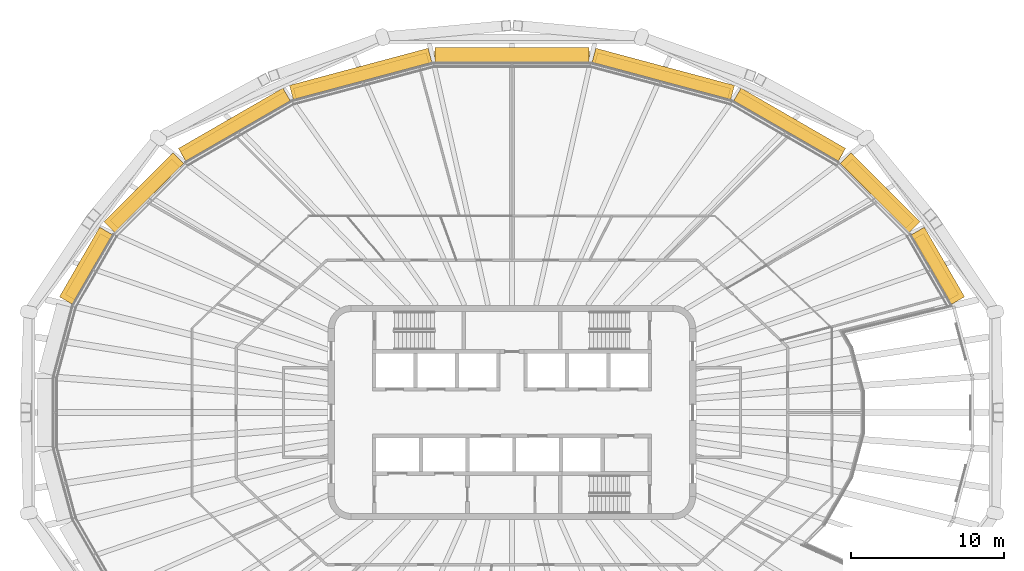
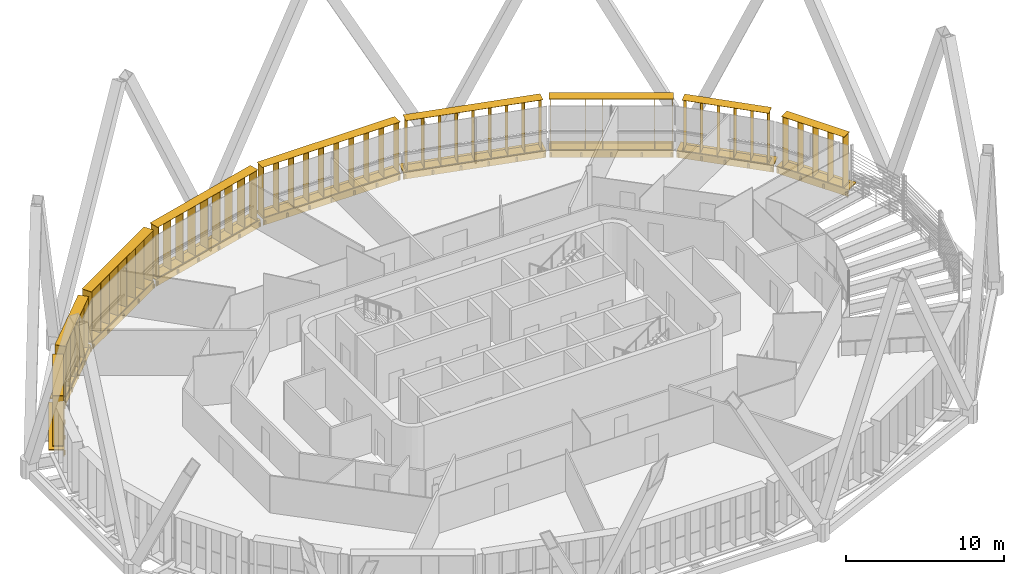
# One storey, part 20 of 20: 18 shading devices.
"""IFC4 building model written with IfcOpenShell, lengths in metres."""

from ifc_helpers import new_model, si_unit, direction, frame, origin, origin_2d, place, context, subcontext, project, spatial, rectangle, extrude, material, type_object, element, save


model = new_model("IFC4")

# Units and contexts
model_context = context("Model", 3, precision=1e-05, world=origin(), true_north=direction((0.0, 1.0)))
body_context = subcontext(model_context, "Body", "Model", "MODEL_VIEW")
ifc_project = project(units=[si_unit("LENGTHUNIT", "METRE"), si_unit("AREAUNIT", "SQUARE_METRE"), si_unit("VOLUMEUNIT", "CUBIC_METRE"), si_unit("PLANEANGLEUNIT", "RADIAN"), si_unit("MASSUNIT", "GRAM", prefix="KILO")], contexts=[model_context])

# Site, building, storey
site_placement = place(None, origin())
site = spatial("IfcSite", under=ifc_project, at=site_placement, CompositionType="ELEMENT")
building_placement = place(site_placement, origin())
building = spatial("IfcBuilding", under=site, at=building_placement, Name="Sahrelin Media Tower", CompositionType="ELEMENT")
storey_placement = place(building_placement, frame((0.0, 0.0, 267.0)))
storey = spatial("IfcBuildingStorey", under=building, at=storey_placement, Name="L58", CompositionType="ELEMENT", Elevation=267.0)

# Shading devices
ifc_material = material(Name="Champagne anodised aluminium 6063-T6", Category="aluminium")
shading_device_type_1 = type_object("IfcShadingDeviceType", Name="Fin cassette", PredefinedType="USERDEFINED", material=ifc_material)
placement_1 = place(storey_placement, frame((27.357666015625, 9.3173828125, 0.0), z_axis=(0.0, 0.0, 1.0), x_axis=(0.500011000363, -0.866019052629, 0.0)))
element("IfcShadingDevice", 1, at=placement_1, inside=storey, type_object=shading_device_type_1, Name="L58:FIN:L58-02", ObjectType="FIN", PredefinedType="USERDEFINED", context=body_context, shape_type="SweptSolid", body=[
    extrude(rectangle(XDim=4.60009765625, YDim=0.699951171875, at=origin_2d()), frame((0.0, 0.419921875, 0.0)), (0.0, 0.0, 1.0), 0.02001953125),
    extrude(rectangle(XDim=4.60009765625, YDim=0.699951171875, at=origin_2d()), frame((0.0, 0.419921875, 3.89990234375)), (0.0, 0.0, 1.0), 0.02001953125),
    extrude(rectangle(XDim=0.02001953125, YDim=0.699951171875, at=origin_2d()), frame((-2.199951171875, 0.419921875, 0.010009765625), z_axis=(0.0, 0.0, 1.0), x_axis=(1.0, 0.0, 0.0)), (0.0, 0.0, 1.0), 3.89990234375),
    extrude(rectangle(XDim=0.02001953125, YDim=0.699951171875, at=origin_2d()), frame((-1.10009765625, 0.419921875, 0.010009765625), z_axis=(0.0, 0.0, 1.0), x_axis=(1.0, 0.0, 0.0)), (0.0, 0.0, 1.0), 3.89990234375),
    extrude(rectangle(XDim=0.02001953125, YDim=0.699951171875, at=origin_2d()), frame((0.0, 0.419921875, 0.010009765625), z_axis=(0.0, 0.0, 1.0), x_axis=(1.0, 0.0, 0.0)), (0.0, 0.0, 1.0), 3.89990234375),
    extrude(rectangle(XDim=0.02001953125, YDim=0.699951171875, at=origin_2d()), frame((1.10009765625, 0.419921875, 0.010009765625), z_axis=(0.0, 0.0, 1.0), x_axis=(1.0, 0.0, 0.0)), (0.0, 0.0, 1.0), 3.89990234375),
    extrude(rectangle(XDim=0.02001953125, YDim=0.699951171875, at=origin_2d()), frame((2.199951171875, 0.419921875, 0.010009765625), z_axis=(0.0, 0.0, 1.0), x_axis=(1.0, 0.0, 0.0)), (0.0, 0.0, 1.0), 3.89990234375),
])
placement_2 = place(storey_placement, frame((23.6767578125, 13.9951171875, 0.0), z_axis=(0.0, 0.0, 1.0), x_axis=(0.707106781187, -0.707106781187, 0.0)))
element("IfcShadingDevice", 2, at=placement_2, inside=storey, type_object=shading_device_type_1, Name="L58:FIN:L58-03", ObjectType="FIN", PredefinedType="USERDEFINED", context=body_context, shape_type="SweptSolid", body=[
    extrude(rectangle(XDim=5.699951171875, YDim=0.699951171875, at=origin_2d()), frame((0.0, 0.419921875, 0.0)), (0.0, 0.0, 1.0), 0.02001953125),
    extrude(rectangle(XDim=5.699951171875, YDim=0.699951171875, at=origin_2d()), frame((0.0, 0.419921875, 3.89990234375)), (0.0, 0.0, 1.0), 0.02001953125),
    extrude(rectangle(XDim=0.02001953125, YDim=0.699951171875, at=origin_2d()), frame((-2.75, 0.419921875, 0.010009765625), z_axis=(0.0, 0.0, 1.0), x_axis=(1.0, 0.0, 0.0)), (0.0, 0.0, 1.0), 3.89990234375),
    extrude(rectangle(XDim=0.02001953125, YDim=0.699951171875, at=origin_2d()), frame((-1.64990234375, 0.419921875, 0.010009765625), z_axis=(0.0, 0.0, 1.0), x_axis=(1.0, 0.0, 0.0)), (0.0, 0.0, 1.0), 3.89990234375),
    extrude(rectangle(XDim=0.02001953125, YDim=0.699951171875, at=origin_2d()), frame((-0.550048828125, 0.419921875, 0.010009765625), z_axis=(0.0, 0.0, 1.0), x_axis=(1.0, 0.0, 0.0)), (0.0, 0.0, 1.0), 3.89990234375),
    extrude(rectangle(XDim=0.02001953125, YDim=0.699951171875, at=origin_2d()), frame((0.550048828125, 0.419921875, 0.010009765625), z_axis=(0.0, 0.0, 1.0), x_axis=(1.0, 0.0, 0.0)), (0.0, 0.0, 1.0), 3.89990234375),
    extrude(rectangle(XDim=0.02001953125, YDim=0.699951171875, at=origin_2d()), frame((1.64990234375, 0.419921875, 0.010009765625), z_axis=(0.0, 0.0, 1.0), x_axis=(1.0, 0.0, 0.0)), (0.0, 0.0, 1.0), 3.89990234375),
    extrude(rectangle(XDim=0.02001953125, YDim=0.699951171875, at=origin_2d()), frame((2.75, 0.419921875, 0.010009765625), z_axis=(0.0, 0.0, 1.0), x_axis=(1.0, 0.0, 0.0)), (0.0, 0.0, 1.0), 3.89990234375),
])
placement_3 = place(storey_placement, frame((17.86083984375, 18.3330078125, 0.0), z_axis=(0.0, 0.0, 1.0), x_axis=(0.866019052629, -0.500011000363, 0.0)))
element("IfcShadingDevice", 3, at=placement_3, inside=storey, type_object=shading_device_type_1, Name="L58:FIN:L58-04", ObjectType="FIN", PredefinedType="USERDEFINED", context=body_context, shape_type="SweptSolid", body=[
    extrude(rectangle(XDim=7.89990234375, YDim=0.699951171875, at=origin_2d()), frame((0.0, 0.419921875, 0.0)), (0.0, 0.0, 1.0), 0.02001953125),
    extrude(rectangle(XDim=7.89990234375, YDim=0.699951171875, at=origin_2d()), frame((0.0, 0.419921875, 3.89990234375)), (0.0, 0.0, 1.0), 0.02001953125),
    extrude(rectangle(XDim=0.02001953125, YDim=0.699951171875, at=origin_2d()), frame((-3.85009765625, 0.419921875, 0.010009765625), z_axis=(0.0, 0.0, 1.0), x_axis=(1.0, 0.0, 0.0)), (0.0, 0.0, 1.0), 3.89990234375),
    extrude(rectangle(XDim=0.02001953125, YDim=0.699951171875, at=origin_2d()), frame((-2.75, 0.419921875, 0.010009765625), z_axis=(0.0, 0.0, 1.0), x_axis=(1.0, 0.0, 0.0)), (0.0, 0.0, 1.0), 3.89990234375),
    extrude(rectangle(XDim=0.02001953125, YDim=0.699951171875, at=origin_2d()), frame((-1.64990234375, 0.419921875, 0.010009765625), z_axis=(0.0, 0.0, 1.0), x_axis=(1.0, 0.0, 0.0)), (0.0, 0.0, 1.0), 3.89990234375),
    extrude(rectangle(XDim=0.02001953125, YDim=0.699951171875, at=origin_2d()), frame((-0.550048828125, 0.419921875, 0.010009765625), z_axis=(0.0, 0.0, 1.0), x_axis=(1.0, 0.0, 0.0)), (0.0, 0.0, 1.0), 3.89990234375),
    extrude(rectangle(XDim=0.02001953125, YDim=0.699951171875, at=origin_2d()), frame((0.550048828125, 0.419921875, 0.010009765625), z_axis=(0.0, 0.0, 1.0), x_axis=(1.0, 0.0, 0.0)), (0.0, 0.0, 1.0), 3.89990234375),
    extrude(rectangle(XDim=0.02001953125, YDim=0.699951171875, at=origin_2d()), frame((1.64990234375, 0.419921875, 0.010009765625), z_axis=(0.0, 0.0, 1.0), x_axis=(1.0, 0.0, 0.0)), (0.0, 0.0, 1.0), 3.89990234375),
    extrude(rectangle(XDim=0.02001953125, YDim=0.699951171875, at=origin_2d()), frame((2.75, 0.419921875, 0.010009765625), z_axis=(0.0, 0.0, 1.0), x_axis=(1.0, 0.0, 0.0)), (0.0, 0.0, 1.0), 3.89990234375),
    extrude(rectangle(XDim=0.02001953125, YDim=0.699951171875, at=origin_2d()), frame((3.85009765625, 0.419921875, 0.010009765625), z_axis=(0.0, 0.0, 1.0), x_axis=(1.0, 0.0, 0.0)), (0.0, 0.0, 1.0), 3.89990234375),
])
placement_4 = place(storey_placement, frame((9.73974609375, 21.59130859375, 0.0), z_axis=(0.0, 0.0, 1.0), x_axis=(0.965928857556, -0.258807731996, 0.0)))
element("IfcShadingDevice", 4, at=placement_4, inside=storey, type_object=shading_device_type_1, Name="L58:FIN:L58-05", ObjectType="FIN", PredefinedType="USERDEFINED", context=body_context, shape_type="SweptSolid", body=[
    extrude(rectangle(XDim=9.0, YDim=0.699951171875, at=origin_2d()), frame((0.0, 0.419921875, 0.0)), (0.0, 0.0, 1.0), 0.02001953125),
    extrude(rectangle(XDim=9.0, YDim=0.699951171875, at=origin_2d()), frame((0.0, 0.419921875, 3.89990234375)), (0.0, 0.0, 1.0), 0.02001953125),
    extrude(rectangle(XDim=0.02001953125, YDim=0.699951171875, at=origin_2d()), frame((-4.39990234375, 0.419921875, 0.010009765625), z_axis=(0.0, 0.0, 1.0), x_axis=(1.0, 0.0, 0.0)), (0.0, 0.0, 1.0), 3.89990234375),
    extrude(rectangle(XDim=0.02001953125, YDim=0.699951171875, at=origin_2d()), frame((-3.300048828125, 0.419921875, 0.010009765625), z_axis=(0.0, 0.0, 1.0), x_axis=(1.0, 0.0, 0.0)), (0.0, 0.0, 1.0), 3.89990234375),
    extrude(rectangle(XDim=0.02001953125, YDim=0.699951171875, at=origin_2d()), frame((-2.199951171875, 0.419921875, 0.010009765625), z_axis=(0.0, 0.0, 1.0), x_axis=(1.0, 0.0, 0.0)), (0.0, 0.0, 1.0), 3.89990234375),
    extrude(rectangle(XDim=0.02001953125, YDim=0.699951171875, at=origin_2d()), frame((-1.10009765625, 0.419921875, 0.010009765625), z_axis=(0.0, 0.0, 1.0), x_axis=(1.0, 0.0, 0.0)), (0.0, 0.0, 1.0), 3.89990234375),
    extrude(rectangle(XDim=0.02001953125, YDim=0.699951171875, at=origin_2d()), frame((0.0, 0.419921875, 0.010009765625), z_axis=(0.0, 0.0, 1.0), x_axis=(1.0, 0.0, 0.0)), (0.0, 0.0, 1.0), 3.89990234375),
    extrude(rectangle(XDim=0.02001953125, YDim=0.699951171875, at=origin_2d()), frame((1.10009765625, 0.419921875, 0.010009765625), z_axis=(0.0, 0.0, 1.0), x_axis=(1.0, 0.0, 0.0)), (0.0, 0.0, 1.0), 3.89990234375),
    extrude(rectangle(XDim=0.02001953125, YDim=0.699951171875, at=origin_2d()), frame((2.199951171875, 0.419921875, 0.010009765625), z_axis=(0.0, 0.0, 1.0), x_axis=(1.0, 0.0, 0.0)), (0.0, 0.0, 1.0), 3.89990234375),
    extrude(rectangle(XDim=0.02001953125, YDim=0.699951171875, at=origin_2d()), frame((3.300048828125, 0.419921875, 0.010009765625), z_axis=(0.0, 0.0, 1.0), x_axis=(1.0, 0.0, 0.0)), (0.0, 0.0, 1.0), 3.89990234375),
    extrude(rectangle(XDim=0.02001953125, YDim=0.699951171875, at=origin_2d()), frame((4.39990234375, 0.419921875, 0.010009765625), z_axis=(0.0, 0.0, 1.0), x_axis=(1.0, 0.0, 0.0)), (0.0, 0.0, 1.0), 3.89990234375),
])
placement_5 = place(storey_placement, frame((0.0, 22.830078125, 0.0), z_axis=(0.0, 0.0, 1.0), x_axis=(1.0, 0.0, 0.0)))
element("IfcShadingDevice", 5, at=placement_5, inside=storey, type_object=shading_device_type_1, Name="L58:FIN:L58-06", ObjectType="FIN", PredefinedType="USERDEFINED", context=body_context, shape_type="SweptSolid", body=[
    extrude(rectangle(XDim=10.10009765625, YDim=0.699951171875, at=origin_2d()), frame((0.0, 0.419921875, 0.0)), (0.0, 0.0, 1.0), 0.02001953125),
    extrude(rectangle(XDim=10.10009765625, YDim=0.699951171875, at=origin_2d()), frame((0.0, 0.419921875, 3.89990234375)), (0.0, 0.0, 1.0), 0.02001953125),
    extrude(rectangle(XDim=0.02001953125, YDim=0.699951171875, at=origin_2d()), frame((-4.949951171875, 0.419921875, 0.010009765625), z_axis=(0.0, 0.0, 1.0), x_axis=(1.0, 0.0, 0.0)), (0.0, 0.0, 1.0), 3.89990234375),
    extrude(rectangle(XDim=0.02001953125, YDim=0.699951171875, at=origin_2d()), frame((-3.85009765625, 0.419921875, 0.010009765625), z_axis=(0.0, 0.0, 1.0), x_axis=(1.0, 0.0, 0.0)), (0.0, 0.0, 1.0), 3.89990234375),
    extrude(rectangle(XDim=0.02001953125, YDim=0.699951171875, at=origin_2d()), frame((-2.75, 0.419921875, 0.010009765625), z_axis=(0.0, 0.0, 1.0), x_axis=(1.0, 0.0, 0.0)), (0.0, 0.0, 1.0), 3.89990234375),
    extrude(rectangle(XDim=0.02001953125, YDim=0.699951171875, at=origin_2d()), frame((-1.64990234375, 0.419921875, 0.010009765625), z_axis=(0.0, 0.0, 1.0), x_axis=(1.0, 0.0, 0.0)), (0.0, 0.0, 1.0), 3.89990234375),
    extrude(rectangle(XDim=0.02001953125, YDim=0.699951171875, at=origin_2d()), frame((-0.550048828125, 0.419921875, 0.010009765625), z_axis=(0.0, 0.0, 1.0), x_axis=(1.0, 0.0, 0.0)), (0.0, 0.0, 1.0), 3.89990234375),
    extrude(rectangle(XDim=0.02001953125, YDim=0.699951171875, at=origin_2d()), frame((0.550048828125, 0.419921875, 0.010009765625), z_axis=(0.0, 0.0, 1.0), x_axis=(1.0, 0.0, 0.0)), (0.0, 0.0, 1.0), 3.89990234375),
    extrude(rectangle(XDim=0.02001953125, YDim=0.699951171875, at=origin_2d()), frame((1.64990234375, 0.419921875, 0.010009765625), z_axis=(0.0, 0.0, 1.0), x_axis=(1.0, 0.0, 0.0)), (0.0, 0.0, 1.0), 3.89990234375),
    extrude(rectangle(XDim=0.02001953125, YDim=0.699951171875, at=origin_2d()), frame((2.75, 0.419921875, 0.010009765625), z_axis=(0.0, 0.0, 1.0), x_axis=(1.0, 0.0, 0.0)), (0.0, 0.0, 1.0), 3.89990234375),
    extrude(rectangle(XDim=0.02001953125, YDim=0.699951171875, at=origin_2d()), frame((3.85009765625, 0.419921875, 0.010009765625), z_axis=(0.0, 0.0, 1.0), x_axis=(1.0, 0.0, 0.0)), (0.0, 0.0, 1.0), 3.89990234375),
    extrude(rectangle(XDim=0.02001953125, YDim=0.699951171875, at=origin_2d()), frame((4.949951171875, 0.419921875, 0.010009765625), z_axis=(0.0, 0.0, 1.0), x_axis=(1.0, 0.0, 0.0)), (0.0, 0.0, 1.0), 3.89990234375),
])
placement_6 = place(storey_placement, frame((-9.73974609375, 21.591064453125, 0.0), z_axis=(0.0, 0.0, 1.0), x_axis=(0.965928857556, 0.258807731996, 0.0)))
element("IfcShadingDevice", 6, at=placement_6, inside=storey, type_object=shading_device_type_1, Name="L58:FIN:L58-07", ObjectType="FIN", PredefinedType="USERDEFINED", context=body_context, shape_type="SweptSolid", body=[
    extrude(rectangle(XDim=9.0, YDim=0.699951171875, at=origin_2d()), frame((0.0, 0.419921875, 0.0)), (0.0, 0.0, 1.0), 0.02001953125),
    extrude(rectangle(XDim=9.0, YDim=0.699951171875, at=origin_2d()), frame((0.0, 0.419921875, 3.89990234375)), (0.0, 0.0, 1.0), 0.02001953125),
    extrude(rectangle(XDim=0.02001953125, YDim=0.699951171875, at=origin_2d()), frame((-4.39990234375, 0.419921875, 0.010009765625), z_axis=(0.0, 0.0, 1.0), x_axis=(1.0, 0.0, 0.0)), (0.0, 0.0, 1.0), 3.89990234375),
    extrude(rectangle(XDim=0.02001953125, YDim=0.699951171875, at=origin_2d()), frame((-3.300048828125, 0.419921875, 0.010009765625), z_axis=(0.0, 0.0, 1.0), x_axis=(1.0, 0.0, 0.0)), (0.0, 0.0, 1.0), 3.89990234375),
    extrude(rectangle(XDim=0.02001953125, YDim=0.699951171875, at=origin_2d()), frame((-2.199951171875, 0.419921875, 0.010009765625), z_axis=(0.0, 0.0, 1.0), x_axis=(1.0, 0.0, 0.0)), (0.0, 0.0, 1.0), 3.89990234375),
    extrude(rectangle(XDim=0.02001953125, YDim=0.699951171875, at=origin_2d()), frame((-1.10009765625, 0.419921875, 0.010009765625), z_axis=(0.0, 0.0, 1.0), x_axis=(1.0, 0.0, 0.0)), (0.0, 0.0, 1.0), 3.89990234375),
    extrude(rectangle(XDim=0.02001953125, YDim=0.699951171875, at=origin_2d()), frame((0.0, 0.419921875, 0.010009765625), z_axis=(0.0, 0.0, 1.0), x_axis=(1.0, 0.0, 0.0)), (0.0, 0.0, 1.0), 3.89990234375),
    extrude(rectangle(XDim=0.02001953125, YDim=0.699951171875, at=origin_2d()), frame((1.10009765625, 0.419921875, 0.010009765625), z_axis=(0.0, 0.0, 1.0), x_axis=(1.0, 0.0, 0.0)), (0.0, 0.0, 1.0), 3.89990234375),
    extrude(rectangle(XDim=0.02001953125, YDim=0.699951171875, at=origin_2d()), frame((2.199951171875, 0.419921875, 0.010009765625), z_axis=(0.0, 0.0, 1.0), x_axis=(1.0, 0.0, 0.0)), (0.0, 0.0, 1.0), 3.89990234375),
    extrude(rectangle(XDim=0.02001953125, YDim=0.699951171875, at=origin_2d()), frame((3.300048828125, 0.419921875, 0.010009765625), z_axis=(0.0, 0.0, 1.0), x_axis=(1.0, 0.0, 0.0)), (0.0, 0.0, 1.0), 3.89990234375),
    extrude(rectangle(XDim=0.02001953125, YDim=0.699951171875, at=origin_2d()), frame((4.39990234375, 0.419921875, 0.010009765625), z_axis=(0.0, 0.0, 1.0), x_axis=(1.0, 0.0, 0.0)), (0.0, 0.0, 1.0), 3.89990234375),
])
placement_7 = place(storey_placement, frame((-17.86083984375, 18.3330078125, 0.0), z_axis=(0.0, 0.0, 1.0), x_axis=(0.866019052629, 0.500011000363, 0.0)))
element("IfcShadingDevice", 7, at=placement_7, inside=storey, type_object=shading_device_type_1, Name="L58:FIN:L58-08", ObjectType="FIN", PredefinedType="USERDEFINED", context=body_context, shape_type="SweptSolid", body=[
    extrude(rectangle(XDim=7.89990234375, YDim=0.699951171875, at=origin_2d()), frame((0.0, 0.419921875, 0.0)), (0.0, 0.0, 1.0), 0.02001953125),
    extrude(rectangle(XDim=7.89990234375, YDim=0.699951171875, at=origin_2d()), frame((0.0, 0.419921875, 3.89990234375)), (0.0, 0.0, 1.0), 0.02001953125),
    extrude(rectangle(XDim=0.02001953125, YDim=0.699951171875, at=origin_2d()), frame((-3.85009765625, 0.419921875, 0.010009765625), z_axis=(0.0, 0.0, 1.0), x_axis=(1.0, 0.0, 0.0)), (0.0, 0.0, 1.0), 3.89990234375),
    extrude(rectangle(XDim=0.02001953125, YDim=0.699951171875, at=origin_2d()), frame((-2.75, 0.419921875, 0.010009765625), z_axis=(0.0, 0.0, 1.0), x_axis=(1.0, 0.0, 0.0)), (0.0, 0.0, 1.0), 3.89990234375),
    extrude(rectangle(XDim=0.02001953125, YDim=0.699951171875, at=origin_2d()), frame((-1.64990234375, 0.419921875, 0.010009765625), z_axis=(0.0, 0.0, 1.0), x_axis=(1.0, 0.0, 0.0)), (0.0, 0.0, 1.0), 3.89990234375),
    extrude(rectangle(XDim=0.02001953125, YDim=0.699951171875, at=origin_2d()), frame((-0.550048828125, 0.419921875, 0.010009765625), z_axis=(0.0, 0.0, 1.0), x_axis=(1.0, 0.0, 0.0)), (0.0, 0.0, 1.0), 3.89990234375),
    extrude(rectangle(XDim=0.02001953125, YDim=0.699951171875, at=origin_2d()), frame((0.550048828125, 0.419921875, 0.010009765625), z_axis=(0.0, 0.0, 1.0), x_axis=(1.0, 0.0, 0.0)), (0.0, 0.0, 1.0), 3.89990234375),
    extrude(rectangle(XDim=0.02001953125, YDim=0.699951171875, at=origin_2d()), frame((1.64990234375, 0.419921875, 0.010009765625), z_axis=(0.0, 0.0, 1.0), x_axis=(1.0, 0.0, 0.0)), (0.0, 0.0, 1.0), 3.89990234375),
    extrude(rectangle(XDim=0.02001953125, YDim=0.699951171875, at=origin_2d()), frame((2.75, 0.419921875, 0.010009765625), z_axis=(0.0, 0.0, 1.0), x_axis=(1.0, 0.0, 0.0)), (0.0, 0.0, 1.0), 3.89990234375),
    extrude(rectangle(XDim=0.02001953125, YDim=0.699951171875, at=origin_2d()), frame((3.85009765625, 0.419921875, 0.010009765625), z_axis=(0.0, 0.0, 1.0), x_axis=(1.0, 0.0, 0.0)), (0.0, 0.0, 1.0), 3.89990234375),
])
placement_8 = place(storey_placement, frame((-23.6767578125, 13.9951171875, 0.0), z_axis=(0.0, 0.0, 1.0), x_axis=(0.707106781187, 0.707106781187, 0.0)))
element("IfcShadingDevice", 8, at=placement_8, inside=storey, type_object=shading_device_type_1, Name="L58:FIN:L58-09", ObjectType="FIN", PredefinedType="USERDEFINED", context=body_context, shape_type="SweptSolid", body=[
    extrude(rectangle(XDim=5.699951171875, YDim=0.699951171875, at=origin_2d()), frame((0.0, 0.419921875, 0.0)), (0.0, 0.0, 1.0), 0.02001953125),
    extrude(rectangle(XDim=5.699951171875, YDim=0.699951171875, at=origin_2d()), frame((0.0, 0.419921875, 3.89990234375)), (0.0, 0.0, 1.0), 0.02001953125),
    extrude(rectangle(XDim=0.02001953125, YDim=0.699951171875, at=origin_2d()), frame((-2.75, 0.419921875, 0.010009765625), z_axis=(0.0, 0.0, 1.0), x_axis=(1.0, 0.0, 0.0)), (0.0, 0.0, 1.0), 3.89990234375),
    extrude(rectangle(XDim=0.02001953125, YDim=0.699951171875, at=origin_2d()), frame((-1.64990234375, 0.419921875, 0.010009765625), z_axis=(0.0, 0.0, 1.0), x_axis=(1.0, 0.0, 0.0)), (0.0, 0.0, 1.0), 3.89990234375),
    extrude(rectangle(XDim=0.02001953125, YDim=0.699951171875, at=origin_2d()), frame((-0.550048828125, 0.419921875, 0.010009765625), z_axis=(0.0, 0.0, 1.0), x_axis=(1.0, 0.0, 0.0)), (0.0, 0.0, 1.0), 3.89990234375),
    extrude(rectangle(XDim=0.02001953125, YDim=0.699951171875, at=origin_2d()), frame((0.550048828125, 0.419921875, 0.010009765625), z_axis=(0.0, 0.0, 1.0), x_axis=(1.0, 0.0, 0.0)), (0.0, 0.0, 1.0), 3.89990234375),
    extrude(rectangle(XDim=0.02001953125, YDim=0.699951171875, at=origin_2d()), frame((1.64990234375, 0.419921875, 0.010009765625), z_axis=(0.0, 0.0, 1.0), x_axis=(1.0, 0.0, 0.0)), (0.0, 0.0, 1.0), 3.89990234375),
    extrude(rectangle(XDim=0.02001953125, YDim=0.699951171875, at=origin_2d()), frame((2.75, 0.419921875, 0.010009765625), z_axis=(0.0, 0.0, 1.0), x_axis=(1.0, 0.0, 0.0)), (0.0, 0.0, 1.0), 3.89990234375),
])
placement_9 = place(storey_placement, frame((-27.357666015625, 9.317138671875, 0.0), z_axis=(0.0, 0.0, 1.0), x_axis=(0.500011000363, 0.866019052629, 0.0)))
element("IfcShadingDevice", 9, at=placement_9, inside=storey, type_object=shading_device_type_1, Name="L58:FIN:L58-10", ObjectType="FIN", PredefinedType="USERDEFINED", context=body_context, shape_type="SweptSolid", body=[
    extrude(rectangle(XDim=4.60009765625, YDim=0.699951171875, at=origin_2d()), frame((0.0, 0.419921875, 0.0)), (0.0, 0.0, 1.0), 0.02001953125),
    extrude(rectangle(XDim=4.60009765625, YDim=0.699951171875, at=origin_2d()), frame((0.0, 0.419921875, 3.89990234375)), (0.0, 0.0, 1.0), 0.02001953125),
    extrude(rectangle(XDim=0.02001953125, YDim=0.699951171875, at=origin_2d()), frame((-2.199951171875, 0.419921875, 0.010009765625), z_axis=(0.0, 0.0, 1.0), x_axis=(1.0, 0.0, 0.0)), (0.0, 0.0, 1.0), 3.89990234375),
    extrude(rectangle(XDim=0.02001953125, YDim=0.699951171875, at=origin_2d()), frame((-1.10009765625, 0.419921875, 0.010009765625), z_axis=(0.0, 0.0, 1.0), x_axis=(1.0, 0.0, 0.0)), (0.0, 0.0, 1.0), 3.89990234375),
    extrude(rectangle(XDim=0.02001953125, YDim=0.699951171875, at=origin_2d()), frame((0.0, 0.419921875, 0.010009765625), z_axis=(0.0, 0.0, 1.0), x_axis=(1.0, 0.0, 0.0)), (0.0, 0.0, 1.0), 3.89990234375),
    extrude(rectangle(XDim=0.02001953125, YDim=0.699951171875, at=origin_2d()), frame((1.10009765625, 0.419921875, 0.010009765625), z_axis=(0.0, 0.0, 1.0), x_axis=(1.0, 0.0, 0.0)), (0.0, 0.0, 1.0), 3.89990234375),
    extrude(rectangle(XDim=0.02001953125, YDim=0.699951171875, at=origin_2d()), frame((2.199951171875, 0.419921875, 0.010009765625), z_axis=(0.0, 0.0, 1.0), x_axis=(1.0, 0.0, 0.0)), (0.0, 0.0, 1.0), 3.89990234375),
])
shading_device_type_2 = type_object("IfcShadingDeviceType", Name="Sunshade band", PredefinedType="USERDEFINED", material=ifc_material)
element("IfcShadingDevice", 10, at=placement_1, inside=storey, type_object=shading_device_type_2, Name="L58:SUN:L58-02", ObjectType="SUNSHADE", PredefinedType="USERDEFINED", context=body_context, shape_type="SweptSolid", body=[
    extrude(rectangle(XDim=5.248779296875, YDim=0.050048828125, at=origin_2d()), frame((0.0, 0.044921875, -0.55126953125)), (0.0, 0.0, 1.0), 0.471435546875),
    extrude(rectangle(XDim=5.248779296875, YDim=1.0, at=origin_2d()), frame((0.0, 0.52001953125, -0.080078125)), (0.0, 0.0, 1.0), 0.080078125),
    extrude(rectangle(XDim=0.10009765625, YDim=0.074951171875, at=origin_2d()), frame((-2.5244140625, -0.017578125, -0.47021484375)), (0.0, 0.0, 1.0), 0.300048828125),
    extrude(rectangle(XDim=0.10009765625, YDim=0.074951171875, at=origin_2d()), frame((-0.841552734375, -0.017578125, -0.47021484375)), (0.0, 0.0, 1.0), 0.300048828125),
    extrude(rectangle(XDim=0.10009765625, YDim=0.074951171875, at=origin_2d()), frame((0.841552734375, -0.017578125, -0.47021484375)), (0.0, 0.0, 1.0), 0.300048828125),
    extrude(rectangle(XDim=0.10009765625, YDim=0.074951171875, at=origin_2d()), frame((2.5244140625, -0.017578125, -0.47021484375)), (0.0, 0.0, 1.0), 0.300048828125),
])
element("IfcShadingDevice", 11, at=placement_2, inside=storey, type_object=shading_device_type_2, Name="L58:SUN:L58-03", ObjectType="SUNSHADE", PredefinedType="USERDEFINED", context=body_context, shape_type="SweptSolid", body=[
    extrude(rectangle(XDim=6.35791015625, YDim=0.050048828125, at=origin_2d()), frame((0.0, 0.044921875, -0.55126953125)), (0.0, 0.0, 1.0), 0.471435546875),
    extrude(rectangle(XDim=6.35791015625, YDim=1.0, at=origin_2d()), frame((0.0, 0.52001953125, -0.080078125)), (0.0, 0.0, 1.0), 0.080078125),
    extrude(rectangle(XDim=0.10009765625, YDim=0.074951171875, at=origin_2d()), frame((-3.0791015625, -0.017578125, -0.47021484375)), (0.0, 0.0, 1.0), 0.300048828125),
    extrude(rectangle(XDim=0.10009765625, YDim=0.074951171875, at=origin_2d()), frame((-1.53955078125, -0.017578125, -0.47021484375)), (0.0, 0.0, 1.0), 0.300048828125),
    extrude(rectangle(XDim=0.10009765625, YDim=0.074951171875, at=origin_2d()), frame((0.0, -0.017578125, -0.47021484375)), (0.0, 0.0, 1.0), 0.300048828125),
    extrude(rectangle(XDim=0.10009765625, YDim=0.074951171875, at=origin_2d()), frame((1.53955078125, -0.017578125, -0.47021484375)), (0.0, 0.0, 1.0), 0.300048828125),
    extrude(rectangle(XDim=0.10009765625, YDim=0.074951171875, at=origin_2d()), frame((3.0791015625, -0.017578125, -0.47021484375)), (0.0, 0.0, 1.0), 0.300048828125),
])
element("IfcShadingDevice", 12, at=placement_3, inside=storey, type_object=shading_device_type_2, Name="L58:SUN:L58-04", ObjectType="SUNSHADE", PredefinedType="USERDEFINED", context=body_context, shape_type="SweptSolid", body=[
    extrude(rectangle(XDim=7.876708984375, YDim=0.050048828125, at=origin_2d()), frame((0.0, 0.044921875, -0.55126953125)), (0.0, 0.0, 1.0), 0.471435546875),
    extrude(rectangle(XDim=7.876708984375, YDim=1.0, at=origin_2d()), frame((0.0, 0.52001953125, -0.080078125)), (0.0, 0.0, 1.0), 0.080078125),
    extrude(rectangle(XDim=0.10009765625, YDim=0.074951171875, at=origin_2d()), frame((-3.83837890625, -0.017578125, -0.47021484375)), (0.0, 0.0, 1.0), 0.300048828125),
    extrude(rectangle(XDim=0.10009765625, YDim=0.074951171875, at=origin_2d()), frame((-1.919189453125, -0.017578125, -0.47021484375)), (0.0, 0.0, 1.0), 0.300048828125),
    extrude(rectangle(XDim=0.10009765625, YDim=0.074951171875, at=origin_2d()), frame((0.0, -0.017578125, -0.47021484375)), (0.0, 0.0, 1.0), 0.300048828125),
    extrude(rectangle(XDim=0.10009765625, YDim=0.074951171875, at=origin_2d()), frame((1.919189453125, -0.017578125, -0.47021484375)), (0.0, 0.0, 1.0), 0.300048828125),
    extrude(rectangle(XDim=0.10009765625, YDim=0.074951171875, at=origin_2d()), frame((3.83837890625, -0.017578125, -0.47021484375)), (0.0, 0.0, 1.0), 0.300048828125),
])
element("IfcShadingDevice", 13, at=placement_4, inside=storey, type_object=shading_device_type_2, Name="L58:SUN:L58-05", ObjectType="SUNSHADE", PredefinedType="USERDEFINED", context=body_context, shape_type="SweptSolid", body=[
    extrude(rectangle(XDim=9.373779296875, YDim=0.050048828125, at=origin_2d()), frame((0.0, 0.044921875, -0.55126953125)), (0.0, 0.0, 1.0), 0.471435546875),
    extrude(rectangle(XDim=9.373779296875, YDim=1.0, at=origin_2d()), frame((0.0, 0.52001953125, -0.080078125)), (0.0, 0.0, 1.0), 0.080078125),
    extrude(rectangle(XDim=0.10009765625, YDim=0.074951171875, at=origin_2d()), frame((-4.5869140625, -0.017578125, -0.47021484375)), (0.0, 0.0, 1.0), 0.300048828125),
    extrude(rectangle(XDim=0.10009765625, YDim=0.074951171875, at=origin_2d()), frame((-2.752197265625, -0.017578125, -0.47021484375)), (0.0, 0.0, 1.0), 0.300048828125),
    extrude(rectangle(XDim=0.10009765625, YDim=0.074951171875, at=origin_2d()), frame((-0.91748046875, -0.017578125, -0.47021484375)), (0.0, 0.0, 1.0), 0.300048828125),
    extrude(rectangle(XDim=0.10009765625, YDim=0.074951171875, at=origin_2d()), frame((0.91748046875, -0.017578125, -0.47021484375)), (0.0, 0.0, 1.0), 0.300048828125),
    extrude(rectangle(XDim=0.10009765625, YDim=0.074951171875, at=origin_2d()), frame((2.752197265625, -0.017578125, -0.47021484375)), (0.0, 0.0, 1.0), 0.300048828125),
    extrude(rectangle(XDim=0.10009765625, YDim=0.074951171875, at=origin_2d()), frame((4.5869140625, -0.017578125, -0.47021484375)), (0.0, 0.0, 1.0), 0.300048828125),
])
element("IfcShadingDevice", 14, at=placement_5, inside=storey, type_object=shading_device_type_2, Name="L58:SUN:L58-06", ObjectType="SUNSHADE", PredefinedType="USERDEFINED", context=body_context, shape_type="SweptSolid", body=[
    extrude(rectangle(XDim=10.031982421875, YDim=0.050048828125, at=origin_2d()), frame((0.0, 0.044921875, -0.55126953125)), (0.0, 0.0, 1.0), 0.471435546875),
    extrude(rectangle(XDim=10.031982421875, YDim=1.0, at=origin_2d()), frame((0.0, 0.52001953125, -0.080078125)), (0.0, 0.0, 1.0), 0.080078125),
    extrude(rectangle(XDim=0.10009765625, YDim=0.074951171875, at=origin_2d()), frame((-4.916015625, -0.017578125, -0.47021484375)), (0.0, 0.0, 1.0), 0.300048828125),
    extrude(rectangle(XDim=0.10009765625, YDim=0.074951171875, at=origin_2d()), frame((-3.27734375, -0.017578125, -0.47021484375)), (0.0, 0.0, 1.0), 0.300048828125),
    extrude(rectangle(XDim=0.10009765625, YDim=0.074951171875, at=origin_2d()), frame((-1.638671875, -0.017578125, -0.47021484375)), (0.0, 0.0, 1.0), 0.300048828125),
    extrude(rectangle(XDim=0.10009765625, YDim=0.074951171875, at=origin_2d()), frame((0.0, -0.017578125, -0.47021484375)), (0.0, 0.0, 1.0), 0.300048828125),
    extrude(rectangle(XDim=0.10009765625, YDim=0.074951171875, at=origin_2d()), frame((1.638671875, -0.017578125, -0.47021484375)), (0.0, 0.0, 1.0), 0.300048828125),
    extrude(rectangle(XDim=0.10009765625, YDim=0.074951171875, at=origin_2d()), frame((3.27734375, -0.017578125, -0.47021484375)), (0.0, 0.0, 1.0), 0.300048828125),
    extrude(rectangle(XDim=0.10009765625, YDim=0.074951171875, at=origin_2d()), frame((4.916015625, -0.017578125, -0.47021484375)), (0.0, 0.0, 1.0), 0.300048828125),
])
element("IfcShadingDevice", 15, at=placement_6, inside=storey, type_object=shading_device_type_2, Name="L58:SUN:L58-07", ObjectType="SUNSHADE", PredefinedType="USERDEFINED", context=body_context, shape_type="SweptSolid", body=[
    extrude(rectangle(XDim=9.373779296875, YDim=0.050048828125, at=origin_2d()), frame((0.0, 0.044921875, -0.55126953125)), (0.0, 0.0, 1.0), 0.471435546875),
    extrude(rectangle(XDim=9.373779296875, YDim=1.0, at=origin_2d()), frame((0.0, 0.52001953125, -0.080078125)), (0.0, 0.0, 1.0), 0.080078125),
    extrude(rectangle(XDim=0.10009765625, YDim=0.074951171875, at=origin_2d()), frame((-4.5869140625, -0.017578125, -0.47021484375)), (0.0, 0.0, 1.0), 0.300048828125),
    extrude(rectangle(XDim=0.10009765625, YDim=0.074951171875, at=origin_2d()), frame((-2.752197265625, -0.017578125, -0.47021484375)), (0.0, 0.0, 1.0), 0.300048828125),
    extrude(rectangle(XDim=0.10009765625, YDim=0.074951171875, at=origin_2d()), frame((-0.91748046875, -0.017578125, -0.47021484375)), (0.0, 0.0, 1.0), 0.300048828125),
    extrude(rectangle(XDim=0.10009765625, YDim=0.074951171875, at=origin_2d()), frame((0.91748046875, -0.017578125, -0.47021484375)), (0.0, 0.0, 1.0), 0.300048828125),
    extrude(rectangle(XDim=0.10009765625, YDim=0.074951171875, at=origin_2d()), frame((2.752197265625, -0.017578125, -0.47021484375)), (0.0, 0.0, 1.0), 0.300048828125),
    extrude(rectangle(XDim=0.10009765625, YDim=0.074951171875, at=origin_2d()), frame((4.5869140625, -0.017578125, -0.47021484375)), (0.0, 0.0, 1.0), 0.300048828125),
])
element("IfcShadingDevice", 16, at=placement_7, inside=storey, type_object=shading_device_type_2, Name="L58:SUN:L58-08", ObjectType="SUNSHADE", PredefinedType="USERDEFINED", context=body_context, shape_type="SweptSolid", body=[
    extrude(rectangle(XDim=7.876708984375, YDim=0.050048828125, at=origin_2d()), frame((0.0, 0.044921875, -0.55126953125)), (0.0, 0.0, 1.0), 0.471435546875),
    extrude(rectangle(XDim=7.876708984375, YDim=1.0, at=origin_2d()), frame((0.0, 0.52001953125, -0.080078125)), (0.0, 0.0, 1.0), 0.080078125),
    extrude(rectangle(XDim=0.10009765625, YDim=0.074951171875, at=origin_2d()), frame((-3.83837890625, -0.017578125, -0.47021484375)), (0.0, 0.0, 1.0), 0.300048828125),
    extrude(rectangle(XDim=0.10009765625, YDim=0.074951171875, at=origin_2d()), frame((-1.919189453125, -0.017578125, -0.47021484375)), (0.0, 0.0, 1.0), 0.300048828125),
    extrude(rectangle(XDim=0.10009765625, YDim=0.074951171875, at=origin_2d()), frame((0.0, -0.017578125, -0.47021484375)), (0.0, 0.0, 1.0), 0.300048828125),
    extrude(rectangle(XDim=0.10009765625, YDim=0.074951171875, at=origin_2d()), frame((1.919189453125, -0.017578125, -0.47021484375)), (0.0, 0.0, 1.0), 0.300048828125),
    extrude(rectangle(XDim=0.10009765625, YDim=0.074951171875, at=origin_2d()), frame((3.83837890625, -0.017578125, -0.47021484375)), (0.0, 0.0, 1.0), 0.300048828125),
])
element("IfcShadingDevice", 17, at=placement_8, inside=storey, type_object=shading_device_type_2, Name="L58:SUN:L58-09", ObjectType="SUNSHADE", PredefinedType="USERDEFINED", context=body_context, shape_type="SweptSolid", body=[
    extrude(rectangle(XDim=6.35791015625, YDim=0.050048828125, at=origin_2d()), frame((0.0, 0.044921875, -0.55126953125)), (0.0, 0.0, 1.0), 0.471435546875),
    extrude(rectangle(XDim=6.35791015625, YDim=1.0, at=origin_2d()), frame((0.0, 0.52001953125, -0.080078125)), (0.0, 0.0, 1.0), 0.080078125),
    extrude(rectangle(XDim=0.10009765625, YDim=0.074951171875, at=origin_2d()), frame((-3.0791015625, -0.017578125, -0.47021484375)), (0.0, 0.0, 1.0), 0.300048828125),
    extrude(rectangle(XDim=0.10009765625, YDim=0.074951171875, at=origin_2d()), frame((-1.53955078125, -0.017578125, -0.47021484375)), (0.0, 0.0, 1.0), 0.300048828125),
    extrude(rectangle(XDim=0.10009765625, YDim=0.074951171875, at=origin_2d()), frame((0.0, -0.017578125, -0.47021484375)), (0.0, 0.0, 1.0), 0.300048828125),
    extrude(rectangle(XDim=0.10009765625, YDim=0.074951171875, at=origin_2d()), frame((1.53955078125, -0.017578125, -0.47021484375)), (0.0, 0.0, 1.0), 0.300048828125),
    extrude(rectangle(XDim=0.10009765625, YDim=0.074951171875, at=origin_2d()), frame((3.0791015625, -0.017578125, -0.47021484375)), (0.0, 0.0, 1.0), 0.300048828125),
])
element("IfcShadingDevice", 18, at=placement_9, inside=storey, type_object=shading_device_type_2, Name="L58:SUN:L58-10", ObjectType="SUNSHADE", PredefinedType="USERDEFINED", context=body_context, shape_type="SweptSolid", body=[
    extrude(rectangle(XDim=5.248779296875, YDim=0.050048828125, at=origin_2d()), frame((0.0, 0.044921875, -0.55126953125)), (0.0, 0.0, 1.0), 0.471435546875),
    extrude(rectangle(XDim=5.248779296875, YDim=1.0, at=origin_2d()), frame((0.0, 0.52001953125, -0.080078125)), (0.0, 0.0, 1.0), 0.080078125),
    extrude(rectangle(XDim=0.10009765625, YDim=0.074951171875, at=origin_2d()), frame((-2.5244140625, -0.017578125, -0.47021484375)), (0.0, 0.0, 1.0), 0.300048828125),
    extrude(rectangle(XDim=0.10009765625, YDim=0.074951171875, at=origin_2d()), frame((-0.841552734375, -0.017578125, -0.47021484375)), (0.0, 0.0, 1.0), 0.300048828125),
    extrude(rectangle(XDim=0.10009765625, YDim=0.074951171875, at=origin_2d()), frame((0.841552734375, -0.017578125, -0.47021484375)), (0.0, 0.0, 1.0), 0.300048828125),
    extrude(rectangle(XDim=0.10009765625, YDim=0.074951171875, at=origin_2d()), frame((2.5244140625, -0.017578125, -0.47021484375)), (0.0, 0.0, 1.0), 0.300048828125),
])

save(model, "model.ifc")
